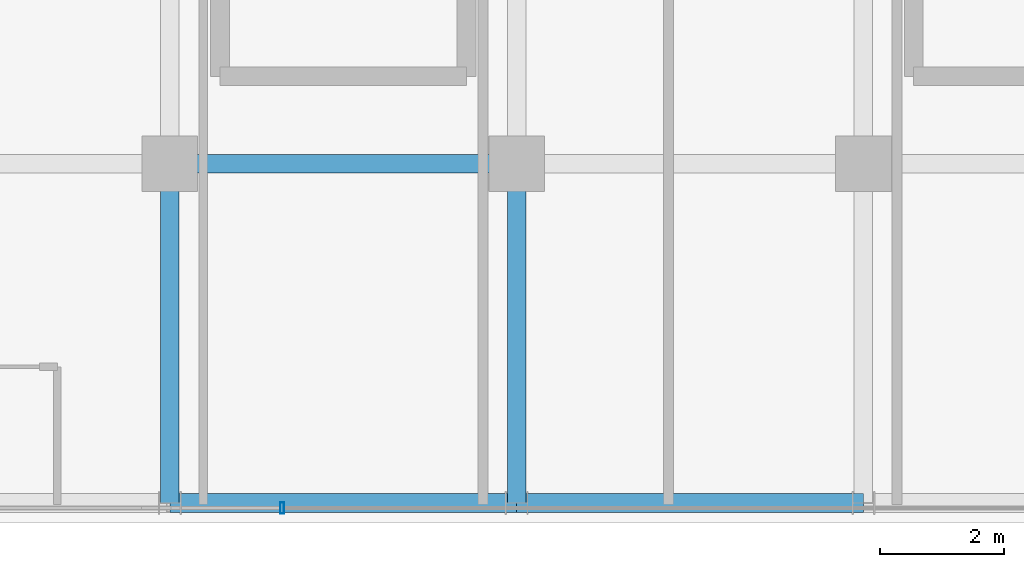
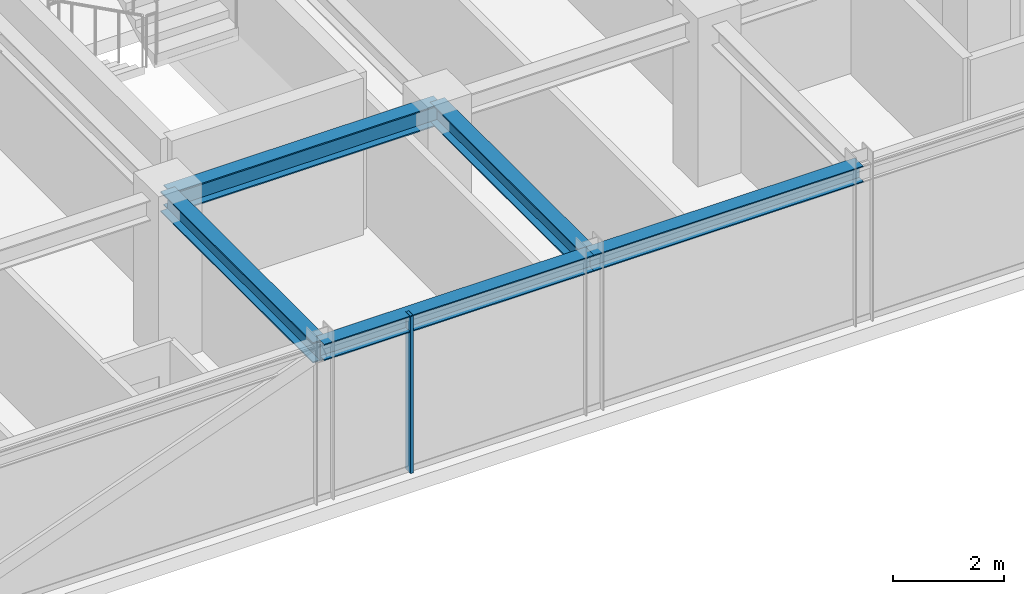
# One storey, part 6 of 36: 5 beams, 1 member, 1 element without a shape of its own.
"""IFC4 building model written with IfcOpenShell, lengths in metres."""

from ifc_helpers import new_model, si_unit, direction, frame, origin, origin_2d, place, context, subcontext, project, spatial, hollow_rectangle, i_section, extrude, source, transform, mapped, material, material_profile, profile_set, type_object, element, aggregate, save


model = new_model("IFC4")

# Units and contexts
model_context = context("Model", 3, precision=1e-05, world=origin(), true_north=direction((0.0, 1.0)))
body_context = subcontext(model_context, "Body", "Model", "MODEL_VIEW")
ifc_project = project(units=[si_unit("LENGTHUNIT", "METRE"), si_unit("AREAUNIT", "SQUARE_METRE"), si_unit("VOLUMEUNIT", "CUBIC_METRE"), si_unit("PLANEANGLEUNIT", "RADIAN"), si_unit("MASSUNIT", "GRAM", prefix="KILO")], contexts=[model_context])

# Site, building, storey
site_placement = place(None, origin())
site = spatial("IfcSite", under=ifc_project, at=site_placement, CompositionType="ELEMENT")
building_placement = place(site_placement, origin())
building = spatial("IfcBuilding", under=site, at=building_placement, Name="Nahalor Promenade Grand Hotel", CompositionType="ELEMENT")
storey_placement = place(building_placement, frame((0.0, 0.0, 273.800048828125)))
storey = spatial("IfcBuildingStorey", under=building, at=storey_placement, Name="L70", CompositionType="ELEMENT", Elevation=273.800048828125)

# Beams
ifc_material_1 = material(Name="Steel S355JR", Category="steel")
ifc_material_profile_1 = material_profile(ifc_material_1, i_section(OverallWidth=0.3, OverallDepth=0.45, WebThickness=0.014, FlangeThickness=0.026, at=origin_2d()), Name="HEB 450")
ifc_profile_set_1 = profile_set([ifc_material_profile_1], Name="Steel S355JR")
beam_type_1 = type_object("IfcBeamType", Name="Beam-Girder-HEB450", PredefinedType="BEAM", material=ifc_profile_set_1)
shared_shape_1 = source(origin(), body_context, "Body", "SweptSolid", [
    extrude(i_section(OverallWidth=0.3, OverallDepth=0.45, WebThickness=0.014, FlangeThickness=0.026, at=origin_2d()), origin(), (0.0, 0.0, 1.0), 5.599853515625),
])
beam_1_placement = place(storey_placement, frame((-8.39990234375, -17.0, 3.224853515625), z_axis=(1.0, 0.0, 0.0), x_axis=(0.0, 1.0, 0.0)))
element("IfcBeam", 1, at=beam_1_placement, inside=storey, type_object=beam_type_1, Name="BM-L70-GX-0-2", PredefinedType="BEAM", context=body_context, shape_type="MappedRepresentation", body=[
    mapped(shared_shape_1, transform((0.0, 0.0, 0.0), scale=1.0)),
])
shared_shape_2 = source(origin(), body_context, "Body", "SweptSolid", [
    extrude(i_section(OverallWidth=0.3, OverallDepth=0.45, WebThickness=0.014, FlangeThickness=0.026, at=origin_2d()), origin(), (0.0, 0.0, 1.0), 5.47998046875),
])
for number, where, z_axis, x_axis, name in (
    (2, (-8.39990234375, -22.47998046875, 3.224853515625), (0.0, 1.0, 0.0), (-1.0, 0.0, 0.0), "BM-L70-GY-1-0"),
    (3, (-2.800048828125, -22.47998046875, 3.224853515625), (0.0, 1.0, 0.0), (-1.0, 0.0, 0.0), "BM-L70-GY-2-0"),
):
    element("IfcBeam", number, at=place(storey_placement, frame(where, z_axis=z_axis, x_axis=x_axis)), inside=storey, type_object=beam_type_1, Name=name, PredefinedType="BEAM", context=body_context, shape_type="MappedRepresentation", body=[
        mapped(shared_shape_2, transform((0.0, 0.0, 0.0), scale=1.0)),
    ])
ifc_material_profile_2 = material_profile(ifc_material_1, i_section(OverallWidth=0.3, OverallDepth=0.36, WebThickness=0.0125, FlangeThickness=0.0225, at=origin_2d()), Name="HEB 360")
ifc_profile_set_2 = profile_set([ifc_material_profile_2], Name="Steel S355JR")
beam_type_2 = type_object("IfcBeamType", Name="Beam-Spandrel-HEB360", PredefinedType="SPANDREL", material=ifc_profile_set_2)
shared_shape_3 = source(origin(), body_context, "Body", "SweptSolid", [
    extrude(i_section(OverallWidth=0.3, OverallDepth=0.36, WebThickness=0.0125, FlangeThickness=0.0225, at=origin_2d()), origin(), (0.0, 0.0, 1.0), 5.599853515625),
])
beam_2_placement = place(storey_placement, frame((-8.39990234375, -22.47998046875, 3.27001953125), z_axis=(1.0, 0.0, 0.0), x_axis=(0.0, 1.0, 0.0)))
element("IfcBeam", 4, at=beam_2_placement, inside=storey, type_object=beam_type_2, Name="BM-L70-SP-S-1", PredefinedType="SPANDREL", context=body_context, shape_type="MappedRepresentation", body=[
    mapped(shared_shape_3, transform((0.0, 0.0, 0.0), scale=1.0)),
])
shared_shape_4 = source(origin(), body_context, "Body", "SweptSolid", [
    extrude(i_section(OverallWidth=0.3, OverallDepth=0.36, WebThickness=0.0125, FlangeThickness=0.0225, at=origin_2d()), origin(), (0.0, 0.0, 1.0), 5.60009765625),
])
beam_3_placement = place(storey_placement, frame((-2.800048828125, -22.47998046875, 3.27001953125), z_axis=(1.0, 0.0, 0.0), x_axis=(0.0, 1.0, 0.0)))
element("IfcBeam", 5, at=beam_3_placement, inside=storey, type_object=beam_type_2, Name="BM-L70-SP-S-2", PredefinedType="SPANDREL", context=body_context, shape_type="MappedRepresentation", body=[
    mapped(shared_shape_4, transform((0.0, 0.0, 0.0), scale=1.0)),
])

# Curtain wall, member
ifc_material_2 = material(Name="Anodised Bronze Aluminium EN AW-6063 T6", Category="aluminium")
curtain_wall_type = type_object("IfcCurtainWallType", Name="CW2 Typical Hotel Flush Bronze Unitised Curtain Wall", PredefinedType="USERDEFINED", material=ifc_material_2)
curtain_wall_placement = place(storey_placement, origin())
curtain_wall = element("IfcCurtainWall", 6, at=curtain_wall_placement, inside=storey, type_object=curtain_wall_type, Name="L70 Curtain Wall CW-L70-S-1", ObjectType="UNITISED_CURTAIN_WALL", PredefinedType="USERDEFINED")
ifc_material_profile_3 = material_profile(ifc_material_2, hollow_rectangle(XDim=0.065, YDim=0.18, WallThickness=0.004, at=origin_2d()), Name="CWM 65x180x4")
ifc_profile_set_3 = profile_set([ifc_material_profile_3], Name="Anodised Bronze Aluminium EN AW-6063 T6")
member_type = type_object("IfcMemberType", Name="CWM2 Typical Bronze Mullion 65x180", PredefinedType="MULLION", material=ifc_profile_set_3)
shared_shape_5 = source(origin(), body_context, "Body", "SweptSolid", [
    extrude(hollow_rectangle(XDim=0.065, YDim=0.18, WallThickness=0.004, at=origin_2d()), origin(), (0.0, 0.0, 1.0), 3.449951171875),
])
member_placement = place(storey_placement, frame((-6.586669921875, -22.56005859375, 0.0), z_axis=(0.0, 0.0, 1.0), x_axis=(1.0, 0.0, 0.0)))
member = element("IfcMember", 7, at=member_placement, type_object=member_type, Name="CW-L70-S-1 Mullion 1", PredefinedType="MULLION", context=body_context, shape_type="MappedRepresentation", body=[
    mapped(shared_shape_5, transform((0.0, 0.0, 0.0), scale=1.0)),
])
aggregate(curtain_wall, [member])

save(model, "model.ifc")
